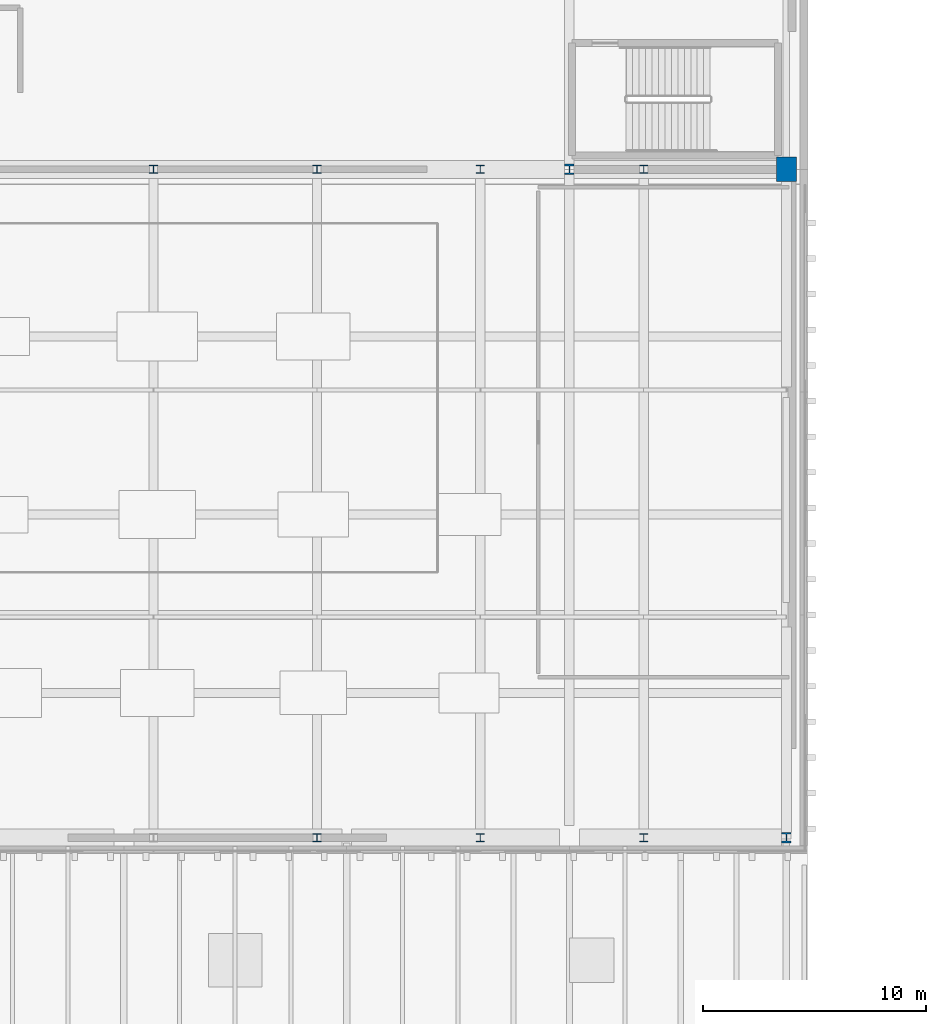
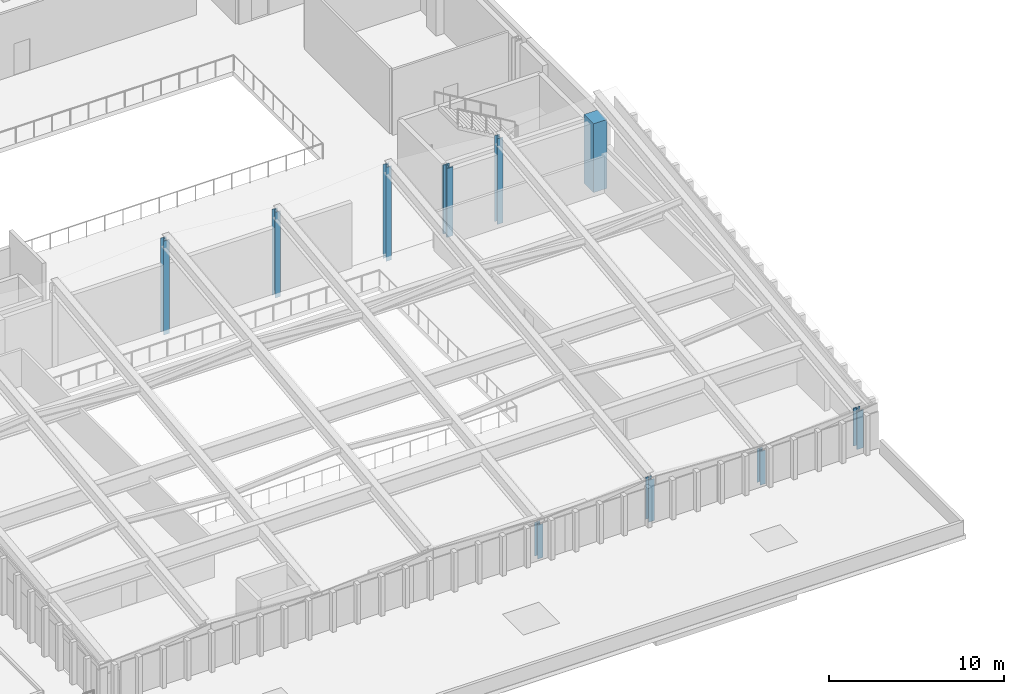
# One storey, part 5 of 30: 10 columns.
"""IFC4 building model written with IfcOpenShell, lengths in metres."""

from ifc_helpers import new_model, si_unit, direction, frame, origin, origin_2d, place, context, subcontext, project, spatial, rectangle, i_section, extrude, material, material_profile, profile_set, type_object, element, save


model = new_model("IFC4")

# Units and contexts
model_context = context("Model", 3, precision=1e-05, world=origin(), true_north=direction((0.0, 1.0)))
body_context = subcontext(model_context, "Body", "Model", "MODEL_VIEW")
ifc_project = project(units=[si_unit("LENGTHUNIT", "METRE"), si_unit("AREAUNIT", "SQUARE_METRE"), si_unit("VOLUMEUNIT", "CUBIC_METRE"), si_unit("PLANEANGLEUNIT", "RADIAN"), si_unit("MASSUNIT", "GRAM", prefix="KILO")], contexts=[model_context])

# Site, building, storey
site_placement = place(None, origin())
site = spatial("IfcSite", under=ifc_project, at=site_placement, CompositionType="ELEMENT")
building_placement = place(site_placement, origin())
building = spatial("IfcBuilding", under=site, at=building_placement, Name="Trimount Lyric Opera House", CompositionType="ELEMENT")
storey_placement = place(building_placement, frame((0.0, 0.0, 24.800048828125)))
storey = spatial("IfcBuildingStorey", under=building, at=storey_placement, Name="L05", CompositionType="ELEMENT", Elevation=24.800048828125)

# Columns
ifc_material_1 = material(Name="Steel ASTM A992 Grade 50", Category="steel")
ifc_material_profile_1 = material_profile(ifc_material_1, i_section(OverallWidth=0.422119140625, OverallDepth=0.465087890625, WebThickness=0.044921875, FlangeThickness=0.072509765625, FilletRadius=0.02001953125, at=origin_2d()), Name="W14X398")
ifc_profile_set_1 = profile_set([ifc_material_profile_1], Name="Steel ASTM A992 Grade 50")
column_type_1 = type_object("IfcColumnType", Name="C-01", PredefinedType="COLUMN", material=ifc_profile_set_1)
column_1_placement = place(storey_placement, frame((104.0, 84.0, 0.0), z_axis=(0.0, 0.0, 1.0), x_axis=(1.0, 0.0, 0.0)))
element("IfcColumn", 1, at=column_1_placement, inside=storey, type_object=column_type_1, Name="L05 column 12/K", PredefinedType="COLUMN", context=body_context, shape_type="SweptSolid", body=[
    extrude(i_section(OverallWidth=0.422119140625, OverallDepth=0.465087890625, WebThickness=0.044921875, FlangeThickness=0.072509765625, FilletRadius=0.02001953125, at=origin_2d()), origin(), (0.0, 0.0, 1.0), 4.800048828125),
])
column_2_placement = place(storey_placement, frame((113.739990234375, 54.0, 0.0), z_axis=(0.0, 0.0, 1.0), x_axis=(1.0, 0.0, 0.0)))
element("IfcColumn", 2, at=column_2_placement, inside=storey, type_object=column_type_1, Name="L05 column 13/G", PredefinedType="COLUMN", context=body_context, shape_type="SweptSolid", body=[
    extrude(i_section(OverallWidth=0.422119140625, OverallDepth=0.465087890625, WebThickness=0.044921875, FlangeThickness=0.072509765625, FilletRadius=0.02001953125, at=origin_2d()), origin(), (0.0, 0.0, 1.0), 2.6298828125),
])
ifc_material_2 = material(Name="Steel ASTM A992 Grade 50", Category="steel")
ifc_material_profile_2 = material_profile(ifc_material_2, i_section(OverallWidth=0.367919921875, OverallDepth=0.35595703125, WebThickness=0.01123046875, FlangeThickness=0.01806640625, FilletRadius=0.014892578125, at=origin_2d()), Name="W14X90")
ifc_profile_set_2 = profile_set([ifc_material_profile_2], Name="Steel ASTM A992 Grade 50")
column_type_2 = type_object("IfcColumnType", Name="C-05", PredefinedType="COLUMN", material=ifc_profile_set_2)
column_3_placement = place(storey_placement, frame((85.33154296875, 84.0, -0.300048828125), z_axis=(0.0, 0.0, 1.0), x_axis=(1.0, 0.0, 0.0)))
element("IfcColumn", 3, at=column_3_placement, inside=storey, type_object=column_type_2, Name="Auditorium folded roof internal post 4N", PredefinedType="COLUMN", context=body_context, shape_type="SweptSolid", body=[
    extrude(i_section(OverallWidth=0.367919921875, OverallDepth=0.35595703125, WebThickness=0.01123046875, FlangeThickness=0.01806640625, FilletRadius=0.014892578125, at=origin_2d()), origin(), (0.0, 0.0, 1.0), 6.556396484375),
])
column_4_placement = place(storey_placement, frame((92.66845703125, 54.0, -0.300048828125), z_axis=(0.0, 0.0, 1.0), x_axis=(1.0, 0.0, 0.0)))
element("IfcColumn", 4, at=column_4_placement, inside=storey, type_object=column_type_2, Name="Auditorium folded roof internal post 5S", PredefinedType="COLUMN", context=body_context, shape_type="SweptSolid", body=[
    extrude(i_section(OverallWidth=0.367919921875, OverallDepth=0.35595703125, WebThickness=0.01123046875, FlangeThickness=0.01806640625, FilletRadius=0.014892578125, at=origin_2d()), origin(), (0.0, 0.0, 1.0), 2.3564453125),
])
column_5_placement = place(storey_placement, frame((92.66845703125, 84.0, -0.300048828125), z_axis=(0.0, 0.0, 1.0), x_axis=(1.0, 0.0, 0.0)))
element("IfcColumn", 5, at=column_5_placement, inside=storey, type_object=column_type_2, Name="Auditorium folded roof internal post 5N", PredefinedType="COLUMN", context=body_context, shape_type="SweptSolid", body=[
    extrude(i_section(OverallWidth=0.367919921875, OverallDepth=0.35595703125, WebThickness=0.01123046875, FlangeThickness=0.01806640625, FilletRadius=0.014892578125, at=origin_2d()), origin(), (0.0, 0.0, 1.0), 5.986572265625),
])
column_6_placement = place(storey_placement, frame((100.005615234375, 54.0, -0.300048828125), z_axis=(0.0, 0.0, 1.0), x_axis=(1.0, 0.0, 0.0)))
element("IfcColumn", 6, at=column_6_placement, inside=storey, type_object=column_type_2, Name="Auditorium folded roof internal post 6S", PredefinedType="COLUMN", context=body_context, shape_type="SweptSolid", body=[
    extrude(i_section(OverallWidth=0.367919921875, OverallDepth=0.35595703125, WebThickness=0.01123046875, FlangeThickness=0.01806640625, FilletRadius=0.014892578125, at=origin_2d()), origin(), (0.0, 0.0, 1.0), 2.926513671875),
])
column_7_placement = place(storey_placement, frame((100.005615234375, 84.0, -0.300048828125), z_axis=(0.0, 0.0, 1.0), x_axis=(1.0, 0.0, 0.0)))
element("IfcColumn", 7, at=column_7_placement, inside=storey, type_object=column_type_2, Name="Auditorium folded roof internal post 6N", PredefinedType="COLUMN", context=body_context, shape_type="SweptSolid", body=[
    extrude(i_section(OverallWidth=0.367919921875, OverallDepth=0.35595703125, WebThickness=0.01123046875, FlangeThickness=0.01806640625, FilletRadius=0.014892578125, at=origin_2d()), origin(), (0.0, 0.0, 1.0), 6.556396484375),
])
column_8_placement = place(storey_placement, frame((107.3427734375, 54.0, -0.300048828125), z_axis=(0.0, 0.0, 1.0), x_axis=(1.0, 0.0, 0.0)))
element("IfcColumn", 8, at=column_8_placement, inside=storey, type_object=column_type_2, Name="Auditorium folded roof internal post 7S", PredefinedType="COLUMN", context=body_context, shape_type="SweptSolid", body=[
    extrude(i_section(OverallWidth=0.367919921875, OverallDepth=0.35595703125, WebThickness=0.01123046875, FlangeThickness=0.01806640625, FilletRadius=0.014892578125, at=origin_2d()), origin(), (0.0, 0.0, 1.0), 2.3564453125),
])
column_9_placement = place(storey_placement, frame((107.3427734375, 84.0, -0.300048828125), z_axis=(0.0, 0.0, 1.0), x_axis=(1.0, 0.0, 0.0)))
element("IfcColumn", 9, at=column_9_placement, inside=storey, type_object=column_type_2, Name="Auditorium folded roof internal post 7N", PredefinedType="COLUMN", context=body_context, shape_type="SweptSolid", body=[
    extrude(i_section(OverallWidth=0.367919921875, OverallDepth=0.35595703125, WebThickness=0.01123046875, FlangeThickness=0.01806640625, FilletRadius=0.014892578125, at=origin_2d()), origin(), (0.0, 0.0, 1.0), 5.986572265625),
])
ifc_material_3 = material(Name="Concrete C50/60", Category="concrete")
ifc_material_profile_3 = material_profile(ifc_material_3, rectangle(XDim=0.89990234375, YDim=1.10009765625, at=origin_2d()), Name="RC1100X900")
ifc_profile_set_3 = profile_set([ifc_material_profile_3], Name="Concrete C50/60")
column_type_3 = type_object("IfcColumnType", Name="C-11", PredefinedType="COLUMN", material=ifc_profile_set_3)
column_10_placement = place(storey_placement, frame((113.739990234375, 84.0, 0.0), z_axis=(0.0, 0.0, 1.0), x_axis=(1.0, 0.0, 0.0)))
element("IfcColumn", 10, at=column_10_placement, inside=storey, type_object=column_type_3, Name="L05 column 13/K", PredefinedType="COLUMN", context=body_context, shape_type="SweptSolid", body=[
    extrude(rectangle(XDim=0.89990234375, YDim=1.10009765625, at=origin_2d()), origin(), (0.0, 0.0, 1.0), 4.800048828125),
])

save(model, "model.ifc")
